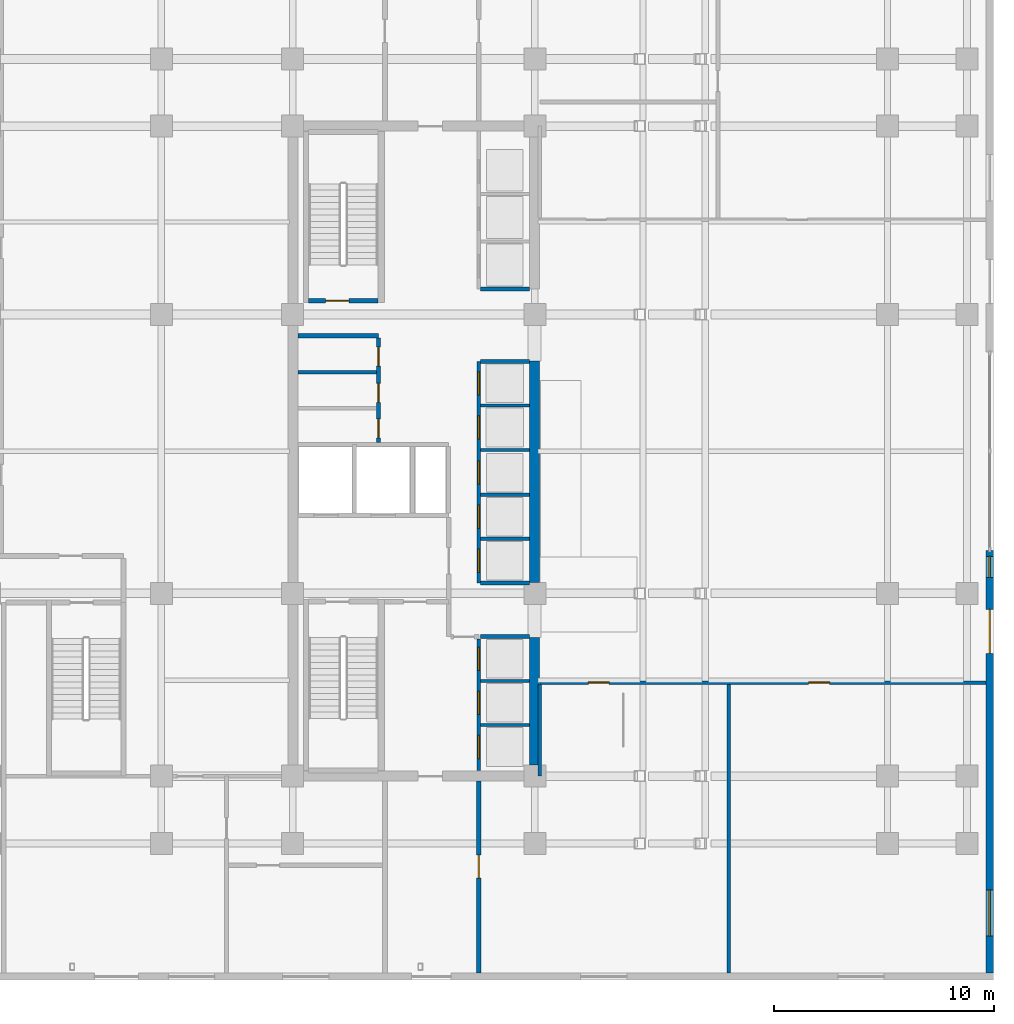
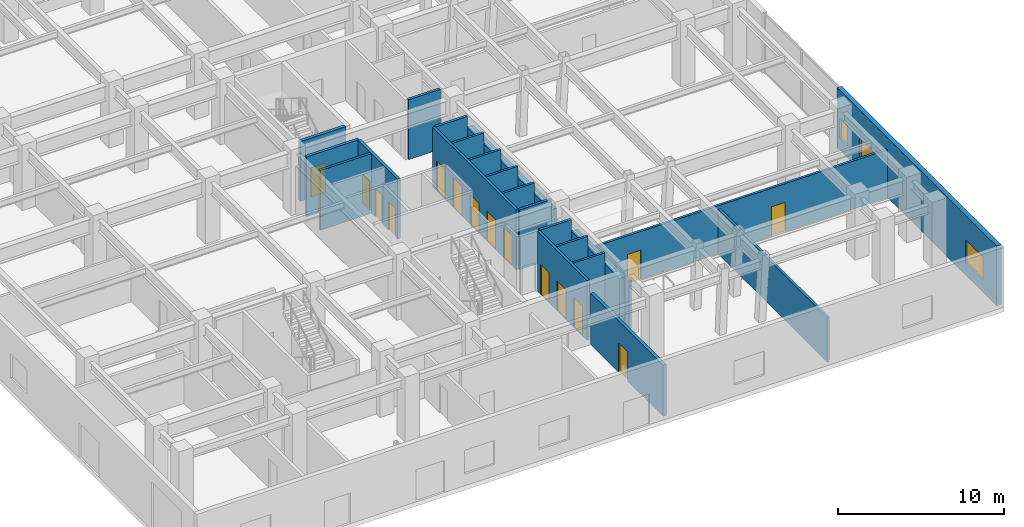
# One storey, part 9 of 13: 23 walls, 16 doors, 2 windows, 18 openings.
"""IFC4 building model written with IfcOpenShell, lengths in metres."""

from ifc_helpers import new_model, si_unit, direction, frame, frame_2d, origin, place, context, subcontext, project, spatial, rectangle, extrude, material, layer, layer_set, type_object, element, fill, save


model = new_model("IFC4")

# Units and contexts
model_context = context("Model", 3, precision=1e-05, world=origin(), true_north=direction((0.0, 1.0)))
body_context = subcontext(model_context, "Body", "Model", "MODEL_VIEW")
ifc_project = project(units=[si_unit("LENGTHUNIT", "METRE"), si_unit("AREAUNIT", "SQUARE_METRE"), si_unit("VOLUMEUNIT", "CUBIC_METRE"), si_unit("PLANEANGLEUNIT", "RADIAN"), si_unit("MASSUNIT", "GRAM", prefix="KILO")], contexts=[model_context])

# Site, building, storey
site_placement = place(None, origin())
site = spatial("IfcSite", under=ifc_project, at=site_placement, CompositionType="ELEMENT")
building_placement = place(site_placement, origin())
building = spatial("IfcBuilding", under=site, at=building_placement, Name="Ochreholt Gables", CompositionType="ELEMENT")
storey_placement = place(building_placement, origin())
storey = spatial("IfcBuildingStorey", under=building, at=storey_placement, Name="L00", CompositionType="ELEMENT", Elevation=0.0)

# Walls
ifc_material_1 = material(Name="Concrete 60 MPa", Category="concrete")
ifc_layer_1 = layer(ifc_material_1, 0.449951171875, Name="Concrete 60 MPa")
ifc_layer_set_1 = layer_set([ifc_layer_1], Name="Concrete 60 MPa")
wall_type_1 = type_object("IfcWallType", Name="WALL-CSW-450", PredefinedType="SHEAR", material=ifc_layer_set_1)
wall_1_placement = place(storey_placement, frame((35.175048828125, 9.75, 0.0), z_axis=(0.0, 0.0, 1.0), x_axis=(0.0, 1.0, 0.0)))
element("IfcWall", 1, at=wall_1_placement, inside=storey, type_object=wall_type_1, Name="L00 Core South-East Shear Wall", PredefinedType="SHEAR", context=body_context, shape_type="SweptSolid", body=[
    extrude(rectangle(XDim=5.800048828125, YDim=0.449951171875, at=frame_2d((2.89990234375, 0.0))), origin(), (0.0, 0.0, 1.0), 3.5390625),
])
wall_2_placement = place(storey_placement, frame((35.175048828125, 18.050048828125, 0.0), z_axis=(0.0, 0.0, 1.0), x_axis=(0.0, 1.0, 0.0)))
element("IfcWall", 2, at=wall_2_placement, inside=storey, type_object=wall_type_1, Name="L00 Core Central-East Shear Wall", PredefinedType="SHEAR", context=body_context, shape_type="SweptSolid", body=[
    extrude(rectangle(XDim=10.050048828125, YDim=0.449951171875, at=frame_2d((5.02490234375, 0.0))), origin(), (0.0, 0.0, 1.0), 3.5390625),
])

# Wall, openings, door, windows
ifc_material_2 = material(Name="Precast concrete 40 MPa", Category="concrete")
ifc_layer_2 = layer(ifc_material_2, 0.320068359375, Name="Precast concrete 40 MPa")
ifc_layer_set_2 = layer_set([ifc_layer_2], Name="Precast concrete 40 MPa")
wall_type_2 = type_object("IfcWallType", Name="WALL-EXT-320", PredefinedType="SOLIDWALL", material=ifc_layer_set_2)
wall_3_placement = place(storey_placement, frame((55.840087890625, 0.320068359375, 0.0), z_axis=(0.0, 0.0, 1.0), x_axis=(0.0, 1.0, 0.0)))
wall_3 = element("IfcWall", 3, at=wall_3_placement, inside=storey, type_object=wall_type_2, Name="L00 South-East Exterior Wall", PredefinedType="SOLIDWALL", context=body_context, shape_type="SweptSolid", body=[
    extrude(rectangle(XDim=19.179931640625, YDim=0.320068359375, at=frame_2d((9.58984375, 0.0))), origin(), (0.0, 0.0, 1.0), 4.389892578125),
])
opening_1_placement = place(wall_3_placement, frame((14.5, 0.0, 0.0)))
opening_1 = element("IfcOpeningElement", 4, at=opening_1_placement, cuts=wall_3, Name="Opening D-EX1", PredefinedType="OPENING", context=body_context, shape_type="SweptSolid", body=[
    extrude(rectangle(XDim=2.0, YDim=2.35009765625, at=frame_2d((1.0, 1.175048828125))), frame((0.0, 0.169921875, 0.0), z_axis=(0.0, -1.0, 0.0), x_axis=(1.0, 0.0, 0.0)), (0.0, 0.0, 1.0), 0.340087890625),
])
opening_2_placement = place(wall_3_placement, frame((1.669921875, 0.0, 0.85009765625)))
opening_2 = element("IfcOpeningElement", 5, at=opening_2_placement, cuts=wall_3, Name="Opening WN-4", PredefinedType="OPENING", context=body_context, shape_type="SweptSolid", body=[
    extrude(rectangle(XDim=2.10009765625, YDim=1.75, at=frame_2d((1.050048828125, 0.875))), frame((0.0, 0.169921875, 0.0), z_axis=(0.0, -1.0, 0.0), x_axis=(1.0, 0.0, 0.0)), (0.0, 0.0, 1.0), 0.340087890625),
])
opening_3_placement = place(wall_3_placement, frame((17.949951171875, 0.0, 0.85009765625)))
opening_3 = element("IfcOpeningElement", 6, at=opening_3_placement, cuts=wall_3, Name="Opening WN-10", PredefinedType="OPENING", context=body_context, shape_type="SweptSolid", body=[
    extrude(rectangle(XDim=0.949951171875, YDim=1.5, at=frame_2d((0.47509765625, 0.75))), frame((0.0, 0.169921875, 0.0), z_axis=(0.0, -1.0, 0.0), x_axis=(1.0, 0.0, 0.0)), (0.0, 0.0, 1.0), 0.340087890625),
])
ifc_material_3 = material(Name="Thermally Broken Insulated Steel and Glass Door", Category="steel")
door_type_1 = type_object("IfcDoorType", Name="DR-EXT-ENT2000", OperationType="NOTDEFINED", PredefinedType="DOOR", material=ifc_material_3)
door_1_placement = place(opening_1_placement, frame((2.0, 0.0, 0.0), z_axis=(0.0, 0.0, 1.0), x_axis=(-1.0, 0.0, 0.0)))
door_1 = element("IfcDoor", 7, at=door_1_placement, inside=storey, type_object=door_type_1, Name="L00 East Main Entrance Door South", OperationType="SINGLE_SWING_LEFT", OverallHeight=2.35009765625, OverallWidth=2.0, PredefinedType="DOOR", context=body_context, shape_type="SweptSolid", body=[
    extrude(rectangle(XDim=2.0, YDim=2.35009765625, at=frame_2d((1.0, 1.175048828125))), frame((0.0, 0.02490234375, 0.0), z_axis=(0.0, -1.0, 0.0), x_axis=(1.0, 0.0, 0.0)), (0.0, 0.0, 1.0), 0.050048828125),
])
fill(opening_1, door_1)
ifc_material_4 = material(Name="Triple-Glazed Thermally Broken Aluminium Window", Category="aluminium")
window_type_1 = type_object("IfcWindowType", Name="WIN-CLN-2100", PartitioningType="SINGLE_PANEL", PredefinedType="WINDOW", material=ifc_material_4)
window_1_placement = place(opening_2_placement, origin())
window_1 = element("IfcWindow", 8, at=window_1_placement, inside=storey, type_object=window_type_1, Name="L00 Window W-EXT-ES-L00-1", OverallHeight=1.75, OverallWidth=2.10009765625, PartitioningType="SINGLE_PANEL", PredefinedType="WINDOW", context=body_context, shape_type="SweptSolid", body=[
    extrude(rectangle(XDim=2.10009765625, YDim=1.75, at=frame_2d((1.050048828125, 0.875))), frame((0.0, 0.030029296875, 0.0), z_axis=(0.0, -1.0, 0.0), x_axis=(1.0, 0.0, 0.0)), (0.0, 0.0, 1.0), 0.06005859375),
])
fill(opening_2, window_1)
window_type_2 = type_object("IfcWindowType", Name="WIN-RES-950", PartitioningType="SINGLE_PANEL", PredefinedType="WINDOW", material=ifc_material_4)
window_2_placement = place(opening_3_placement, origin())
window_2 = element("IfcWindow", 9, at=window_2_placement, inside=storey, type_object=window_type_2, Name="L00 Window W-EXT-ES-L00-2", OverallHeight=1.5, OverallWidth=0.949951171875, PartitioningType="SINGLE_PANEL", PredefinedType="WINDOW", context=body_context, shape_type="SweptSolid", body=[
    extrude(rectangle(XDim=0.949951171875, YDim=1.5, at=frame_2d((0.47509765625, 0.75))), frame((0.0, 0.030029296875, 0.0), z_axis=(0.0, -1.0, 0.0), x_axis=(1.0, 0.0, 0.0)), (0.0, 0.0, 1.0), 0.06005859375),
])
fill(opening_3, window_2)

# Wall
ifc_material_5 = material(Name="Concrete 40 MPa", Category="concrete")
ifc_layer_3 = layer(ifc_material_5, 0.199951171875, Name="Concrete 40 MPa")
ifc_layer_set_3 = layer_set([ifc_layer_3], Name="Concrete 40 MPa")
wall_type_3 = type_object("IfcWallType", Name="WALL-INT-CF200", PredefinedType="STANDARD", material=ifc_layer_set_3)
wall_4_placement = place(storey_placement, frame((24.449951171875, 29.239990234375, 0.0), z_axis=(0.0, 0.0, 1.0), x_axis=(1.0, 0.0, 0.0)))
element("IfcWall", 10, at=wall_4_placement, inside=storey, type_object=wall_type_3, Name="L00 Interior Wall WI-SRVN-L00", PredefinedType="STANDARD", context=body_context, shape_type="SweptSolid", body=[
    extrude(rectangle(XDim=3.650146484375, YDim=0.199951171875, at=frame_2d((1.8251953125, 0.0))), origin(), (0.0, 0.0, 1.0), 4.389892578125),
])

# Wall, openings, doors
wall_5_placement = place(storey_placement, frame((28.10009765625, 24.389892578125, 0.0), z_axis=(0.0, 0.0, 1.0), x_axis=(0.0, 1.0, 0.0)))
wall_5 = element("IfcWall", 11, at=wall_5_placement, inside=storey, type_object=wall_type_3, Name="L00 Interior Wall WI-SRVE-L00", PredefinedType="STANDARD", context=body_context, shape_type="SweptSolid", body=[
    extrude(rectangle(XDim=4.75, YDim=0.199951171875, at=frame_2d((2.375, 0.0))), origin(), (0.0, 0.0, 1.0), 4.389892578125),
])
opening_4_placement = place(wall_5_placement, frame((0.2099609375, 0.0, 0.0)))
opening_4 = element("IfcOpeningElement", 12, at=opening_4_placement, cuts=wall_5, Name="Opening D-SV2", PredefinedType="OPENING", context=body_context, shape_type="SweptSolid", body=[
    extrude(rectangle(XDim=0.860107421875, YDim=2.10009765625, at=frame_2d((0.43017578125, 1.050048828125))), frame((0.0, 0.10986328125, 0.0), z_axis=(0.0, -1.0, 0.0), x_axis=(1.0, 0.0, 0.0)), (0.0, 0.0, 1.0), 0.219970703125),
])
opening_5_placement = place(wall_5_placement, frame((1.830078125, 0.0, 0.0)))
opening_5 = element("IfcOpeningElement", 13, at=opening_5_placement, cuts=wall_5, Name="Opening D-SV2", PredefinedType="OPENING", context=body_context, shape_type="SweptSolid", body=[
    extrude(rectangle(XDim=0.860107421875, YDim=2.10009765625, at=frame_2d((0.43017578125, 1.050048828125))), frame((0.0, 0.10986328125, 0.0), z_axis=(0.0, -1.0, 0.0), x_axis=(1.0, 0.0, 0.0)), (0.0, 0.0, 1.0), 0.219970703125),
])
opening_6_placement = place(wall_5_placement, frame((3.469970703125, 0.0, 0.0)))
opening_6 = element("IfcOpeningElement", 14, at=opening_6_placement, cuts=wall_5, Name="Opening D-SV2", PredefinedType="OPENING", context=body_context, shape_type="SweptSolid", body=[
    extrude(rectangle(XDim=0.860107421875, YDim=2.10009765625, at=frame_2d((0.43017578125, 1.050048828125))), frame((0.0, 0.10986328125, 0.0), z_axis=(0.0, -1.0, 0.0), x_axis=(1.0, 0.0, 0.0)), (0.0, 0.0, 1.0), 0.219970703125),
])
ifc_material_6 = material(Name="Hollow Metal Steel", Category="steel")
door_type_2 = type_object("IfcDoorType", Name="DR-INT-SRV860", OperationType="NOTDEFINED", PredefinedType="DOOR", material=ifc_material_6)
door_2_placement = place(opening_4_placement, origin())
door_2 = element("IfcDoor", 15, at=door_2_placement, inside=storey, type_object=door_type_2, Name="L00 Door D-SRV1-L00", OperationType="SINGLE_SWING_LEFT", OverallHeight=2.10009765625, OverallWidth=0.860107421875, PredefinedType="DOOR", context=body_context, shape_type="SweptSolid", body=[
    extrude(rectangle(XDim=0.860107421875, YDim=2.10009765625, at=frame_2d((0.43017578125, 1.050048828125))), frame((0.0, 0.02490234375, 0.0), z_axis=(0.0, -1.0, 0.0), x_axis=(1.0, 0.0, 0.0)), (0.0, 0.0, 1.0), 0.050048828125),
])
fill(opening_4, door_2)
door_3_placement = place(opening_5_placement, origin())
door_3 = element("IfcDoor", 16, at=door_3_placement, inside=storey, type_object=door_type_2, Name="L00 Door D-SRV2-L00", OperationType="SINGLE_SWING_RIGHT", OverallHeight=2.10009765625, OverallWidth=0.860107421875, PredefinedType="DOOR", context=body_context, shape_type="SweptSolid", body=[
    extrude(rectangle(XDim=0.860107421875, YDim=2.10009765625, at=frame_2d((0.43017578125, 1.050048828125))), frame((0.0, 0.02490234375, 0.0), z_axis=(0.0, -1.0, 0.0), x_axis=(1.0, 0.0, 0.0)), (0.0, 0.0, 1.0), 0.050048828125),
])
fill(opening_5, door_3)
door_4_placement = place(opening_6_placement, origin())
door_4 = element("IfcDoor", 17, at=door_4_placement, inside=storey, type_object=door_type_2, Name="L00 Door D-SRV3-L00", OperationType="SINGLE_SWING_LEFT", OverallHeight=2.10009765625, OverallWidth=0.860107421875, PredefinedType="DOOR", context=body_context, shape_type="SweptSolid", body=[
    extrude(rectangle(XDim=0.860107421875, YDim=2.10009765625, at=frame_2d((0.43017578125, 1.050048828125))), frame((0.0, 0.02490234375, 0.0), z_axis=(0.0, -1.0, 0.0), x_axis=(1.0, 0.0, 0.0)), (0.0, 0.0, 1.0), 0.050048828125),
])
fill(opening_6, door_4)

# Wall, opening, door
ifc_layer_4 = layer(ifc_material_5, 0.219970703125, Name="Concrete 40 MPa")
ifc_layer_set_4 = layer_set([ifc_layer_4], Name="Concrete 40 MPa")
wall_type_4 = type_object("IfcWallType", Name="WALL-INT-CF220", PredefinedType="STANDARD", material=ifc_layer_set_4)
wall_6_placement = place(storey_placement, frame((32.64990234375, 0.320068359375, 0.0), z_axis=(0.0, 0.0, 1.0), x_axis=(0.0, 1.0, 0.0)))
wall_6 = element("IfcWall", 18, at=wall_6_placement, inside=storey, type_object=wall_type_4, Name="L00 Interior Wall WI-EXP-SCE", PredefinedType="STANDARD", context=body_context, shape_type="SweptSolid", body=[
    extrude(rectangle(XDim=8.704833984375, YDim=0.219970703125, at=frame_2d((4.3525390625, 0.0))), origin(), (0.0, 0.0, 1.0), 3.760986328125),
])
opening_7_placement = place(wall_6_placement, frame((4.300048828125, 0.0, 0.0)))
opening_7 = element("IfcOpeningElement", 19, at=opening_7_placement, cuts=wall_6, Name="Opening D-FLB", PredefinedType="OPENING", context=body_context, shape_type="SweptSolid", body=[
    extrude(rectangle(XDim=1.050048828125, YDim=2.14990234375, at=frame_2d((0.52490234375, 1.074951171875))), frame((0.0, 0.119873046875, 0.0), z_axis=(0.0, -1.0, 0.0), x_axis=(1.0, 0.0, 0.0)), (0.0, 0.0, 1.0), 0.239990234375),
])
door_type_3 = type_object("IfcDoorType", Name="DR-INT-FLB1050", OperationType="NOTDEFINED", PredefinedType="DOOR", material=ifc_material_6)
door_5_placement = place(opening_7_placement, origin())
door_5 = element("IfcDoor", 20, at=door_5_placement, inside=storey, type_object=door_type_3, Name="L00 Door D-EXP-SCE-LOB", OperationType="SINGLE_SWING_RIGHT", OverallHeight=2.14990234375, OverallWidth=1.050048828125, PredefinedType="DOOR", context=body_context, shape_type="SweptSolid", body=[
    extrude(rectangle(XDim=1.050048828125, YDim=2.14990234375, at=frame_2d((0.52490234375, 1.074951171875))), frame((0.0, 0.02490234375, 0.0), z_axis=(0.0, -1.0, 0.0), x_axis=(1.0, 0.0, 0.0)), (0.0, 0.0, 1.0), 0.050048828125),
])
fill(opening_7, door_5)

# Wall
ifc_material_7 = material(Name="Gypsum Acoustic Stud Partition", Category="gypsum")
ifc_layer_5 = layer(ifc_material_7, 0.159912109375, Name="Gypsum Acoustic Stud Partition")
ifc_layer_set_5 = layer_set([ifc_layer_5], Name="Gypsum Acoustic Stud Partition")
wall_type_5 = type_object("IfcWallType", Name="WALL-INT-PT160", PredefinedType="PARTITIONING", material=ifc_layer_set_5)
wall_7_placement = place(storey_placement, frame((24.449951171875, 27.580078125, 0.0), z_axis=(0.0, 0.0, 1.0), x_axis=(1.0, 0.0, 0.0)))
element("IfcWall", 21, at=wall_7_placement, inside=storey, type_object=wall_type_5, Name="L00 Interior Wall WI-SRVP2-L00", PredefinedType="PARTITIONING", context=body_context, shape_type="SweptSolid", body=[
    extrude(rectangle(XDim=3.550048828125, YDim=0.159912109375, at=frame_2d((1.77490234375, 0.0))), origin(), (0.0, 0.0, 1.0), 4.389892578125),
])

# Wall, openings, doors
wall_8_placement = place(storey_placement, frame((35.419921875, 13.5, 0.0), z_axis=(0.0, 0.0, 1.0), x_axis=(1.0, 0.0, 0.0)))
wall_8 = element("IfcWall", 22, at=wall_8_placement, inside=storey, type_object=wall_type_5, Name="L00 Interior Wall WI-L00-ES", PredefinedType="PARTITIONING", context=body_context, shape_type="SweptSolid", body=[
    extrude(rectangle(XDim=20.260009765625, YDim=0.159912109375, at=frame_2d((10.1298828125, 0.0))), origin(), (0.0, 0.0, 1.0), 3.52099609375),
])
opening_8_placement = place(wall_8_placement, frame((2.199951171875, 0.0, 0.0)))
opening_8 = element("IfcOpeningElement", 23, at=opening_8_placement, cuts=wall_8, Name="Opening D-GN1", PredefinedType="OPENING", context=body_context, shape_type="SweptSolid", body=[
    extrude(rectangle(XDim=0.949951171875, YDim=2.14990234375, at=frame_2d((0.47509765625, 1.074951171875))), frame((0.0, 0.08984375, 0.0), z_axis=(0.0, -1.0, 0.0), x_axis=(1.0, 0.0, 0.0)), (0.0, 0.0, 1.0), 0.179931640625),
])
opening_9_placement = place(wall_8_placement, frame((12.199951171875, 0.0, 0.0)))
opening_9 = element("IfcOpeningElement", 24, at=opening_9_placement, cuts=wall_8, Name="Opening D-GN1", PredefinedType="OPENING", context=body_context, shape_type="SweptSolid", body=[
    extrude(rectangle(XDim=0.949951171875, YDim=2.14990234375, at=frame_2d((0.47509765625, 1.074951171875))), frame((0.0, 0.08984375, 0.0), z_axis=(0.0, -1.0, 0.0), x_axis=(1.0, 0.0, 0.0)), (0.0, 0.0, 1.0), 0.179931640625),
])
ifc_material_8 = material(Name="Engineered Oak Timber", Category="wood")
door_type_4 = type_object("IfcDoorType", Name="DR-INT-GEN950", OperationType="NOTDEFINED", PredefinedType="DOOR", material=ifc_material_8)
door_6_placement = place(opening_8_placement, origin())
door_6 = element("IfcDoor", 25, at=door_6_placement, inside=storey, type_object=door_type_4, Name="L00 Door D-L00-REC", OperationType="SINGLE_SWING_LEFT", OverallHeight=2.14990234375, OverallWidth=0.949951171875, PredefinedType="DOOR", context=body_context, shape_type="SweptSolid", body=[
    extrude(rectangle(XDim=0.949951171875, YDim=2.14990234375, at=frame_2d((0.47509765625, 1.074951171875))), frame((0.0, 0.02490234375, 0.0), z_axis=(0.0, -1.0, 0.0), x_axis=(1.0, 0.0, 0.0)), (0.0, 0.0, 1.0), 0.050048828125),
])
fill(opening_8, door_6)
door_7_placement = place(opening_9_placement, origin())
door_7 = element("IfcDoor", 26, at=door_7_placement, inside=storey, type_object=door_type_4, Name="L00 Door D-L00-OFF", OperationType="SINGLE_SWING_RIGHT", OverallHeight=2.14990234375, OverallWidth=0.949951171875, PredefinedType="DOOR", context=body_context, shape_type="SweptSolid", body=[
    extrude(rectangle(XDim=0.949951171875, YDim=2.14990234375, at=frame_2d((0.47509765625, 1.074951171875))), frame((0.0, 0.02490234375, 0.0), z_axis=(0.0, -1.0, 0.0), x_axis=(1.0, 0.0, 0.0)), (0.0, 0.0, 1.0), 0.050048828125),
])
fill(opening_9, door_7)

# Walls
wall_9_placement = place(storey_placement, frame((35.419921875, 9.25, 0.0), z_axis=(0.0, 0.0, 1.0), x_axis=(0.0, 1.0, 0.0)))
element("IfcWall", 27, at=wall_9_placement, inside=storey, type_object=wall_type_5, Name="L00 Interior Wall WI-L00-ESW", PredefinedType="PARTITIONING", context=body_context, shape_type="SweptSolid", body=[
    extrude(rectangle(XDim=4.169921875, YDim=0.159912109375, at=frame_2d((2.0849609375, 0.0))), origin(), (0.0, 0.0, 1.0), 3.52099609375),
])
wall_10_placement = place(storey_placement, frame((44.0, 0.320068359375, 0.0), z_axis=(0.0, 0.0, 1.0), x_axis=(0.0, 1.0, 0.0)))
element("IfcWall", 28, at=wall_10_placement, inside=storey, type_object=wall_type_5, Name="L00 Interior Wall WI-L00-ESD", PredefinedType="PARTITIONING", context=body_context, shape_type="SweptSolid", body=[
    extrude(rectangle(XDim=13.099853515625, YDim=0.159912109375, at=frame_2d((6.5498046875, 0.0))), origin(), (0.0, 0.0, 1.0), 3.27197265625),
])
ifc_material_9 = material(Name="Gypsum Shaftliner and Steel Stud", Category="steel")
ifc_layer_6 = layer(ifc_material_9, 0.14990234375, Name="Gypsum Shaftliner and Steel Stud")
ifc_layer_set_6 = layer_set([ifc_layer_6], Name="Gypsum Shaftliner and Steel Stud")
wall_type_6 = type_object("IfcWallType", Name="WALL-INT-SH150", PredefinedType="STANDARD", material=ifc_layer_set_6)
for number, where, z_axis, x_axis, name in (
    (29, (32.739990234375, 11.570068359375, 0.0), (0.0, 0.0, 1.0), (1.0, 0.0, 0.0), "L00 Interior Wall WI-LFL-D1-L00"),
    (30, (32.739990234375, 13.570068359375, 0.0), (0.0, 0.0, 1.0), (1.0, 0.0, 0.0), "L00 Interior Wall WI-LFL-D2-L00"),
    (31, (32.739990234375, 20.02001953125, 0.0), (0.0, 0.0, 1.0), (1.0, 0.0, 0.0), "L00 Interior Wall WI-LFHE-DH1-L00"),
    (32, (32.739990234375, 22.02001953125, 0.0), (0.0, 0.0, 1.0), (1.0, 0.0, 0.0), "L00 Interior Wall WI-LFHE-DH2-L00"),
    (33, (32.739990234375, 24.050048828125, 0.0), (0.0, 0.0, 1.0), (1.0, 0.0, 0.0), "L00 Interior Wall WI-LFHE-DHE-L00"),
    (34, (32.739990234375, 26.070068359375, 0.0), (0.0, 0.0, 1.0), (1.0, 0.0, 0.0), "L00 Interior Wall WI-LFHE-DEX1-L00"),
):
    element("IfcWall", number, at=place(storey_placement, frame(where, z_axis=z_axis, x_axis=x_axis)), inside=storey, type_object=wall_type_6, Name=name, PredefinedType="STANDARD", context=body_context, shape_type="SweptSolid", body=[
        extrude(rectangle(XDim=2.2099609375, YDim=0.14990234375, at=frame_2d((1.10498046875, 0.0))), origin(), (0.0, 0.0, 1.0), 4.389892578125),
    ])

# Wall, openings, doors
ifc_layer_7 = layer(ifc_material_9, 0.179931640625, Name="Gypsum Shaftliner and Steel Stud")
ifc_layer_set_7 = layer_set([ifc_layer_7], Name="Gypsum Shaftliner and Steel Stud")
wall_type_7 = type_object("IfcWallType", Name="WALL-INT-SH180", PredefinedType="STANDARD", material=ifc_layer_set_7)
wall_11_placement = place(storey_placement, frame((32.64990234375, 9.5, 0.0), z_axis=(0.0, 0.0, 1.0), x_axis=(0.0, 1.0, 0.0)))
wall_11 = element("IfcWall", 35, at=wall_11_placement, inside=storey, type_object=wall_type_7, Name="L00 Interior Wall WI-LFL-FR-L00", PredefinedType="STANDARD", context=body_context, shape_type="SweptSolid", body=[
    extrude(rectangle(XDim=5.97998046875, YDim=0.179931640625, at=frame_2d((2.989990234375, 0.0))), origin(), (0.0, 0.0, 1.0), 4.389892578125),
])
opening_10_placement = place(wall_11_placement, frame((0.550048828125, 0.0, 0.0)))
opening_10 = element("IfcOpeningElement", 36, at=opening_10_placement, cuts=wall_11, Name="Opening LD-PX", PredefinedType="OPENING", context=body_context, shape_type="SweptSolid", body=[
    extrude(rectangle(XDim=1.050048828125, YDim=2.199951171875, at=frame_2d((0.52490234375, 1.10009765625))), frame((0.0, 0.099853515625, 0.0), z_axis=(0.0, -1.0, 0.0), x_axis=(1.0, 0.0, 0.0)), (0.0, 0.0, 1.0), 0.199951171875),
])
opening_11_placement = place(wall_11_placement, frame((2.550048828125, 0.0, 0.0)))
opening_11 = element("IfcOpeningElement", 37, at=opening_11_placement, cuts=wall_11, Name="Opening LD-PX", PredefinedType="OPENING", context=body_context, shape_type="SweptSolid", body=[
    extrude(rectangle(XDim=1.050048828125, YDim=2.199951171875, at=frame_2d((0.52490234375, 1.10009765625))), frame((0.0, 0.099853515625, 0.0), z_axis=(0.0, -1.0, 0.0), x_axis=(1.0, 0.0, 0.0)), (0.0, 0.0, 1.0), 0.199951171875),
])
opening_12_placement = place(wall_11_placement, frame((4.550048828125, 0.0, 0.0)))
opening_12 = element("IfcOpeningElement", 38, at=opening_12_placement, cuts=wall_11, Name="Opening LD-PX", PredefinedType="OPENING", context=body_context, shape_type="SweptSolid", body=[
    extrude(rectangle(XDim=1.050048828125, YDim=2.199951171875, at=frame_2d((0.52490234375, 1.10009765625))), frame((0.0, 0.099853515625, 0.0), z_axis=(0.0, -1.0, 0.0), x_axis=(1.0, 0.0, 0.0)), (0.0, 0.0, 1.0), 0.199951171875),
])
ifc_material_10 = material(Name="Stainless Steel", Category="steel")
door_type_5 = type_object("IfcDoorType", Name="DR-LFT-PX1050", OperationType="NOTDEFINED", PredefinedType="DOOR", material=ifc_material_10)
door_8_placement = place(opening_10_placement, origin())
door_8 = element("IfcDoor", 39, at=door_8_placement, inside=storey, type_object=door_type_5, Name="L00 Door LD-L1-L00", OperationType="SLIDING_TO_LEFT", OverallHeight=2.199951171875, OverallWidth=1.050048828125, PredefinedType="DOOR", context=body_context, shape_type="SweptSolid", body=[
    extrude(rectangle(XDim=1.050048828125, YDim=2.199951171875, at=frame_2d((0.52490234375, 1.10009765625))), frame((0.0, 0.02490234375, 0.0), z_axis=(0.0, -1.0, 0.0), x_axis=(1.0, 0.0, 0.0)), (0.0, 0.0, 1.0), 0.050048828125),
])
fill(opening_10, door_8)
door_9_placement = place(opening_11_placement, origin())
door_9 = element("IfcDoor", 40, at=door_9_placement, inside=storey, type_object=door_type_5, Name="L00 Door LD-L2-L00", OperationType="SLIDING_TO_LEFT", OverallHeight=2.199951171875, OverallWidth=1.050048828125, PredefinedType="DOOR", context=body_context, shape_type="SweptSolid", body=[
    extrude(rectangle(XDim=1.050048828125, YDim=2.199951171875, at=frame_2d((0.52490234375, 1.10009765625))), frame((0.0, 0.02490234375, 0.0), z_axis=(0.0, -1.0, 0.0), x_axis=(1.0, 0.0, 0.0)), (0.0, 0.0, 1.0), 0.050048828125),
])
fill(opening_11, door_9)
door_10_placement = place(opening_12_placement, origin())
door_10 = element("IfcDoor", 41, at=door_10_placement, inside=storey, type_object=door_type_5, Name="L00 Door LD-L3-L00", OperationType="SLIDING_TO_LEFT", OverallHeight=2.199951171875, OverallWidth=1.050048828125, PredefinedType="DOOR", context=body_context, shape_type="SweptSolid", body=[
    extrude(rectangle(XDim=1.050048828125, YDim=2.199951171875, at=frame_2d((0.52490234375, 1.10009765625))), frame((0.0, 0.02490234375, 0.0), z_axis=(0.0, -1.0, 0.0), x_axis=(1.0, 0.0, 0.0)), (0.0, 0.0, 1.0), 0.050048828125),
])
fill(opening_12, door_10)

# Wall
wall_12_placement = place(storey_placement, frame((32.739990234375, 15.580078125, 0.0), z_axis=(0.0, 0.0, 1.0), x_axis=(1.0, 0.0, 0.0)))
element("IfcWall", 42, at=wall_12_placement, inside=storey, type_object=wall_type_7, Name="L00 Interior Wall WI-LFL-N-L00", PredefinedType="STANDARD", context=body_context, shape_type="SweptSolid", body=[
    extrude(rectangle(XDim=2.2099609375, YDim=0.179931640625, at=frame_2d((1.10498046875, 0.0))), origin(), (0.0, 0.0, 1.0), 4.389892578125),
])

# Wall, openings, doors
wall_13_placement = place(storey_placement, frame((32.64990234375, 18.02001953125, 0.0), z_axis=(0.0, 0.0, 1.0), x_axis=(0.0, 1.0, 0.0)))
wall_13 = element("IfcWall", 43, at=wall_13_placement, inside=storey, type_object=wall_type_7, Name="L00 Interior Wall WI-LFHE-FR-L00", PredefinedType="STANDARD", context=body_context, shape_type="SweptSolid", body=[
    extrude(rectangle(XDim=10.06005859375, YDim=0.179931640625, at=frame_2d((5.030029296875, 0.0))), origin(), (0.0, 0.0, 1.0), 4.389892578125),
])
opening_13_placement = place(wall_13_placement, frame((0.47998046875, 0.0, 0.0)))
opening_13 = element("IfcOpeningElement", 44, at=opening_13_placement, cuts=wall_13, Name="Opening LD-PX", PredefinedType="OPENING", context=body_context, shape_type="SweptSolid", body=[
    extrude(rectangle(XDim=1.050048828125, YDim=2.199951171875, at=frame_2d((0.52490234375, 1.10009765625))), frame((0.0, 0.099853515625, 0.0), z_axis=(0.0, -1.0, 0.0), x_axis=(1.0, 0.0, 0.0)), (0.0, 0.0, 1.0), 0.199951171875),
])
opening_14_placement = place(wall_13_placement, frame((2.47998046875, 0.0, 0.0)))
opening_14 = element("IfcOpeningElement", 45, at=opening_14_placement, cuts=wall_13, Name="Opening LD-PX", PredefinedType="OPENING", context=body_context, shape_type="SweptSolid", body=[
    extrude(rectangle(XDim=1.050048828125, YDim=2.199951171875, at=frame_2d((0.52490234375, 1.10009765625))), frame((0.0, 0.099853515625, 0.0), z_axis=(0.0, -1.0, 0.0), x_axis=(1.0, 0.0, 0.0)), (0.0, 0.0, 1.0), 0.199951171875),
])
opening_15_placement = place(wall_13_placement, frame((4.47998046875, 0.0, 0.0)))
opening_15 = element("IfcOpeningElement", 46, at=opening_15_placement, cuts=wall_13, Name="Opening LD-PX", PredefinedType="OPENING", context=body_context, shape_type="SweptSolid", body=[
    extrude(rectangle(XDim=1.050048828125, YDim=2.199951171875, at=frame_2d((0.52490234375, 1.10009765625))), frame((0.0, 0.099853515625, 0.0), z_axis=(0.0, -1.0, 0.0), x_axis=(1.0, 0.0, 0.0)), (0.0, 0.0, 1.0), 0.199951171875),
])
opening_16_placement = place(wall_13_placement, frame((6.530029296875, 0.0, 0.0)))
opening_16 = element("IfcOpeningElement", 47, at=opening_16_placement, cuts=wall_13, Name="Opening LD-PX", PredefinedType="OPENING", context=body_context, shape_type="SweptSolid", body=[
    extrude(rectangle(XDim=1.050048828125, YDim=2.199951171875, at=frame_2d((0.52490234375, 1.10009765625))), frame((0.0, 0.099853515625, 0.0), z_axis=(0.0, -1.0, 0.0), x_axis=(1.0, 0.0, 0.0)), (0.0, 0.0, 1.0), 0.199951171875),
])
opening_17_placement = place(wall_13_placement, frame((8.530029296875, 0.0, 0.0)))
opening_17 = element("IfcOpeningElement", 48, at=opening_17_placement, cuts=wall_13, Name="Opening LD-PX", PredefinedType="OPENING", context=body_context, shape_type="SweptSolid", body=[
    extrude(rectangle(XDim=1.050048828125, YDim=2.199951171875, at=frame_2d((0.52490234375, 1.10009765625))), frame((0.0, 0.099853515625, 0.0), z_axis=(0.0, -1.0, 0.0), x_axis=(1.0, 0.0, 0.0)), (0.0, 0.0, 1.0), 0.199951171875),
])
door_11_placement = place(opening_13_placement, origin())
door_11 = element("IfcDoor", 49, at=door_11_placement, inside=storey, type_object=door_type_5, Name="L00 Door LD-LF-H1-L00", OperationType="SLIDING_TO_LEFT", OverallHeight=2.199951171875, OverallWidth=1.050048828125, PredefinedType="DOOR", context=body_context, shape_type="SweptSolid", body=[
    extrude(rectangle(XDim=1.050048828125, YDim=2.199951171875, at=frame_2d((0.52490234375, 1.10009765625))), frame((0.0, 0.02490234375, 0.0), z_axis=(0.0, -1.0, 0.0), x_axis=(1.0, 0.0, 0.0)), (0.0, 0.0, 1.0), 0.050048828125),
])
fill(opening_13, door_11)
door_12_placement = place(opening_14_placement, origin())
door_12 = element("IfcDoor", 50, at=door_12_placement, inside=storey, type_object=door_type_5, Name="L00 Door LD-LF-H2-L00", OperationType="SLIDING_TO_LEFT", OverallHeight=2.199951171875, OverallWidth=1.050048828125, PredefinedType="DOOR", context=body_context, shape_type="SweptSolid", body=[
    extrude(rectangle(XDim=1.050048828125, YDim=2.199951171875, at=frame_2d((0.52490234375, 1.10009765625))), frame((0.0, 0.02490234375, 0.0), z_axis=(0.0, -1.0, 0.0), x_axis=(1.0, 0.0, 0.0)), (0.0, 0.0, 1.0), 0.050048828125),
])
fill(opening_14, door_12)
door_13_placement = place(opening_15_placement, origin())
door_13 = element("IfcDoor", 51, at=door_13_placement, inside=storey, type_object=door_type_5, Name="L00 Door LD-LF-H3-L00", OperationType="SLIDING_TO_LEFT", OverallHeight=2.199951171875, OverallWidth=1.050048828125, PredefinedType="DOOR", context=body_context, shape_type="SweptSolid", body=[
    extrude(rectangle(XDim=1.050048828125, YDim=2.199951171875, at=frame_2d((0.52490234375, 1.10009765625))), frame((0.0, 0.02490234375, 0.0), z_axis=(0.0, -1.0, 0.0), x_axis=(1.0, 0.0, 0.0)), (0.0, 0.0, 1.0), 0.050048828125),
])
fill(opening_15, door_13)
door_14_placement = place(opening_16_placement, origin())
door_14 = element("IfcDoor", 52, at=door_14_placement, inside=storey, type_object=door_type_5, Name="L00 Door LD-LF-EX1-L00", OperationType="SLIDING_TO_LEFT", OverallHeight=2.199951171875, OverallWidth=1.050048828125, PredefinedType="DOOR", context=body_context, shape_type="SweptSolid", body=[
    extrude(rectangle(XDim=1.050048828125, YDim=2.199951171875, at=frame_2d((0.52490234375, 1.10009765625))), frame((0.0, 0.02490234375, 0.0), z_axis=(0.0, -1.0, 0.0), x_axis=(1.0, 0.0, 0.0)), (0.0, 0.0, 1.0), 0.050048828125),
])
fill(opening_16, door_14)
door_15_placement = place(opening_17_placement, origin())
door_15 = element("IfcDoor", 53, at=door_15_placement, inside=storey, type_object=door_type_5, Name="L00 Door LD-LF-EX2-L00", OperationType="SLIDING_TO_LEFT", OverallHeight=2.199951171875, OverallWidth=1.050048828125, PredefinedType="DOOR", context=body_context, shape_type="SweptSolid", body=[
    extrude(rectangle(XDim=1.050048828125, YDim=2.199951171875, at=frame_2d((0.52490234375, 1.10009765625))), frame((0.0, 0.02490234375, 0.0), z_axis=(0.0, -1.0, 0.0), x_axis=(1.0, 0.0, 0.0)), (0.0, 0.0, 1.0), 0.050048828125),
])
fill(opening_17, door_15)

# Walls
for number, where, z_axis, x_axis, name in (
    (54, (32.739990234375, 18.02001953125, 0.0), (0.0, 0.0, 1.0), (1.0, 0.0, 0.0), "L00 Interior Wall WI-LFHE-S-L00"),
    (55, (32.739990234375, 28.080078125, 0.0), (0.0, 0.0, 1.0), (1.0, 0.0, 0.0), "L00 Interior Wall WI-LFHE-N-L00"),
    (56, (32.739990234375, 31.35009765625, 0.0), (0.0, 0.0, 1.0), (1.0, 0.0, 0.0), "L00 Interior Wall WI-LFM-S-L00"),
):
    element("IfcWall", number, at=place(storey_placement, frame(where, z_axis=z_axis, x_axis=x_axis)), inside=storey, type_object=wall_type_7, Name=name, PredefinedType="STANDARD", context=body_context, shape_type="SweptSolid", body=[
        extrude(rectangle(XDim=2.2099609375, YDim=0.179931640625, at=frame_2d((1.10498046875, 0.0))), origin(), (0.0, 0.0, 1.0), 4.389892578125),
    ])

# Wall, opening, door
ifc_material_11 = material(Name="Concrete 50 MPa", Category="concrete")
ifc_layer_8 = layer(ifc_material_11, 0.219970703125, Name="Concrete 50 MPa")
ifc_layer_set_8 = layer_set([ifc_layer_8], Name="Concrete 50 MPa")
wall_type_8 = type_object("IfcWallType", Name="WALL-STW-220", PredefinedType="SHEAR", material=ifc_layer_set_8)
wall_14_placement = place(storey_placement, frame((24.919921875, 30.830078125, 0.0), z_axis=(0.0, 0.0, 1.0), x_axis=(1.0, 0.0, 0.0)))
wall_14 = element("IfcWall", 57, at=wall_14_placement, inside=storey, type_object=wall_type_8, Name="L00 Exit Stair 2 South Wall", PredefinedType="SHEAR", context=body_context, shape_type="SweptSolid", body=[
    extrude(rectangle(XDim=3.16015625, YDim=0.219970703125, at=frame_2d((1.580078125, 0.0))), origin(), (0.0, 0.0, 1.0), 4.389892578125),
])
opening_18_placement = place(wall_14_placement, frame((0.780029296875, 0.0, 0.0)))
opening_18 = element("IfcOpeningElement", 58, at=opening_18_placement, cuts=wall_14, Name="Opening D-STC", PredefinedType="OPENING", context=body_context, shape_type="SweptSolid", body=[
    extrude(rectangle(XDim=1.050048828125, YDim=2.14990234375, at=frame_2d((0.52490234375, 1.074951171875))), frame((0.0, 0.119873046875, 0.0), z_axis=(0.0, -1.0, 0.0), x_axis=(1.0, 0.0, 0.0)), (0.0, 0.0, 1.0), 0.239990234375),
])
door_type_6 = type_object("IfcDoorType", Name="DR-INT-ST1050", OperationType="NOTDEFINED", PredefinedType="DOOR", material=ifc_material_6)
door_16_placement = place(opening_18_placement, origin())
door_16 = element("IfcDoor", 59, at=door_16_placement, inside=storey, type_object=door_type_6, Name="L00 Door D-ST2-L00", OperationType="SINGLE_SWING_RIGHT", OverallHeight=2.14990234375, OverallWidth=1.050048828125, PredefinedType="DOOR", context=body_context, shape_type="SweptSolid", body=[
    extrude(rectangle(XDim=1.050048828125, YDim=2.14990234375, at=frame_2d((0.52490234375, 1.074951171875))), frame((0.0, 0.02490234375, 0.0), z_axis=(0.0, -1.0, 0.0), x_axis=(1.0, 0.0, 0.0)), (0.0, 0.0, 1.0), 0.050048828125),
])
fill(opening_18, door_16)

save(model, "model.ifc")
